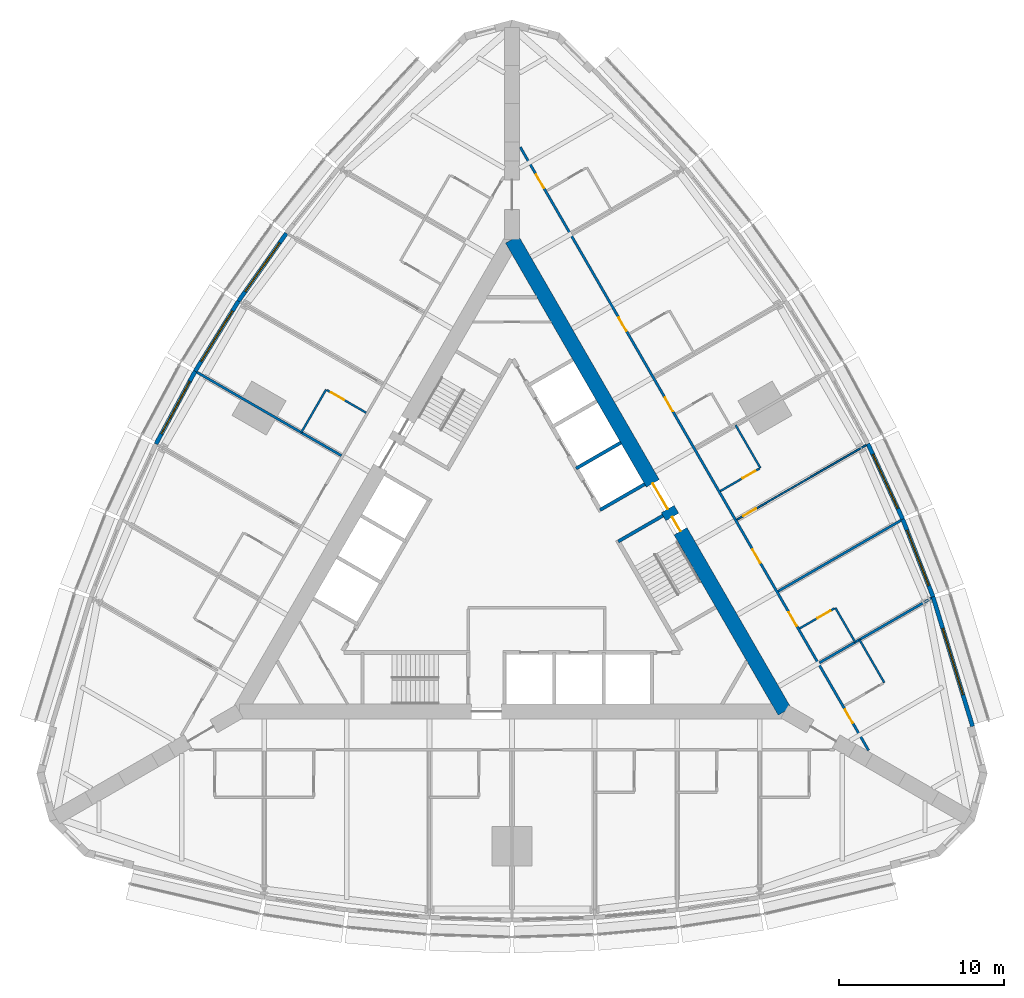
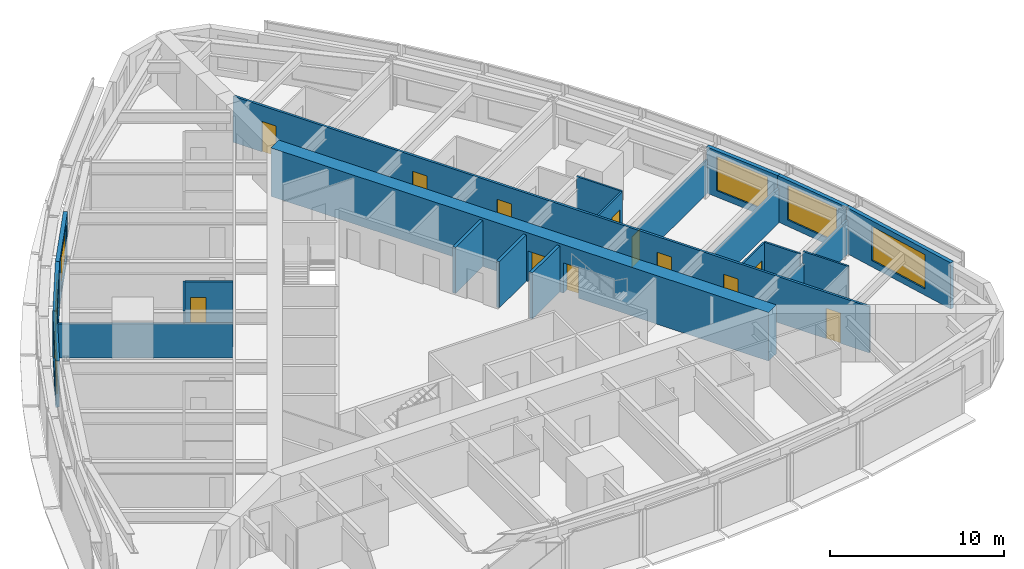
# One storey, part 11 of 14: 22 walls, 12 doors, 6 windows, 18 openings.
"""IFC4 building model written with IfcOpenShell, lengths in metres."""

from ifc_helpers import new_model, si_unit, direction, frame, frame_2d, origin, place, context, subcontext, project, spatial, rectangle, extrude, material, layer, layer_set, type_object, element, fill, save


model = new_model("IFC4")

# Units and contexts
model_context = context("Model", 3, precision=1e-05, world=origin(), true_north=direction((0.0, 1.0)))
body_context = subcontext(model_context, "Body", "Model", "MODEL_VIEW")
ifc_project = project(units=[si_unit("LENGTHUNIT", "METRE"), si_unit("AREAUNIT", "SQUARE_METRE"), si_unit("VOLUMEUNIT", "CUBIC_METRE"), si_unit("PLANEANGLEUNIT", "RADIAN"), si_unit("MASSUNIT", "GRAM", prefix="KILO")], contexts=[model_context])

# Site, building, storey
site_placement = place(None, origin())
site = spatial("IfcSite", under=ifc_project, at=site_placement, CompositionType="ELEMENT")
building_placement = place(site_placement, origin())
building = spatial("IfcBuilding", under=site, at=building_placement, Name="Trikona Tower", CompositionType="ELEMENT")
storey_placement = place(building_placement, frame((0.0, 0.0, 82.89990234375)))
storey = spatial("IfcBuildingStorey", under=building, at=storey_placement, Name="L21", CompositionType="ELEMENT", Elevation=82.89990234375)

# Walls
ifc_material_1 = material(Name="Metal stud and cement board", Category="gypsum")
ifc_layer_1 = layer(ifc_material_1, 0.1201171875)
ifc_layer_set_1 = layer_set([ifc_layer_1], Name="Bathroom wall 120")
wall_type_1 = type_object("IfcWallType", Name="Bathroom wall 120", PredefinedType="PLUMBINGWALL", material=ifc_layer_set_1)
wall_1_placement = place(storey_placement, frame((22.53271484375, -7.775390625, 0.0), z_axis=(0.0, 0.0, 1.0), x_axis=(-0.499990139034, 0.866031096941, 0.0)))
element("IfcWall", 1, at=wall_1_placement, inside=storey, type_object=wall_type_1, Name="Bathroom wall 2107", PredefinedType="PLUMBINGWALL", context=body_context, shape_type="SweptSolid", body=[
    extrude(rectangle(XDim=3.0, YDim=0.1201171875, at=frame_2d((1.5, 0.0))), origin(), (0.0, 0.0, 1.0), 3.235107421875),
])
wall_2_placement = place(storey_placement, frame((20.77294921875, -5.3271484375, 0.0), z_axis=(0.0, 0.0, 1.0), x_axis=(-0.500001309137, 0.866024647952, 0.0)))
element("IfcWall", 2, at=wall_2_placement, inside=storey, type_object=wall_type_1, Name="Bathroom wall 2108", PredefinedType="PLUMBINGWALL", context=body_context, shape_type="SweptSolid", body=[
    extrude(rectangle(XDim=2.39990234375, YDim=0.1201171875, at=frame_2d((1.199951171875, 0.0))), origin(), (0.0, 0.0, 1.0), 3.235107421875),
])

# Wall, opening, door
wall_3_placement = place(storey_placement, frame((17.407958984375, -4.498779296875, 0.0), z_axis=(0.0, 0.0, 1.0), x_axis=(0.866023955769, 0.500002508028, 0.0)))
wall_3 = element("IfcWall", 3, at=wall_3_placement, inside=storey, type_object=wall_type_1, Name="Bathroom wall 2108", PredefinedType="PLUMBINGWALL", context=body_context, shape_type="SweptSolid", body=[
    extrude(rectangle(XDim=2.43994140625, YDim=0.1201171875, at=frame_2d((1.219970703125, 0.0))), origin(), (0.0, 0.0, 1.0), 3.235107421875),
])
opening_1_placement = place(wall_3_placement, frame((1.25, 0.0, 0.0)))
opening_1 = element("IfcOpeningElement", 4, at=opening_1_placement, cuts=wall_3, Name="Opening D2", PredefinedType="OPENING", context=body_context, shape_type="SweptSolid", body=[
    extrude(rectangle(XDim=0.89990234375, YDim=2.1298828125, at=frame_2d((0.449951171875, 1.06494140625))), frame((0.0, 0.070068359375, 0.0), z_axis=(0.0, -1.0, 0.0), x_axis=(1.0, 0.0, 0.0)), (0.0, 0.0, 1.0), 0.14013671875),
])
ifc_material_2 = material(Name="Steel door frame with solid-core timber leaf", Category="steel")
door_type_1 = type_object("IfcDoorType", Name="Bathroom door 900x2130", OperationType="SLIDING_TO_LEFT", PredefinedType="DOOR", material=ifc_material_2)
door_1_placement = place(opening_1_placement, origin())
door_1 = element("IfcDoor", 5, at=door_1_placement, inside=storey, type_object=door_type_1, Name="Bathroom door 2108", OperationType="SLIDING_TO_LEFT", OverallHeight=2.1298828125, OverallWidth=0.89990234375, PredefinedType="DOOR", context=body_context, shape_type="SweptSolid", body=[
    extrude(rectangle(XDim=0.89990234375, YDim=2.1298828125, at=frame_2d((0.449951171875, 1.06494140625))), frame((0.0, 0.02490234375, 0.0), z_axis=(0.0, -1.0, 0.0), x_axis=(1.0, 0.0, 0.0)), (0.0, 0.0, 1.0), 0.050048828125),
])
fill(opening_1, door_1)

# Wall
wall_4_placement = place(storey_placement, frame((15.03271484375, 5.215087890625, 0.0), z_axis=(0.0, 0.0, 1.0), x_axis=(-0.50002537861, 0.866010750942, 0.0)))
element("IfcWall", 6, at=wall_4_placement, inside=storey, type_object=wall_type_1, Name="Bathroom wall 2109.1", PredefinedType="PLUMBINGWALL", context=body_context, shape_type="SweptSolid", body=[
    extrude(rectangle(XDim=2.999755859375, YDim=0.1201171875, at=frame_2d((1.5, 0.0))), origin(), (0.0, 0.0, 1.0), 3.235107421875),
])

# Wall, opening, door
wall_5_placement = place(storey_placement, frame((12.60791015625, 3.815185546875, 0.0), z_axis=(0.0, 0.0, 1.0), x_axis=(0.866035715982, 0.499982138324, 0.0)))
wall_5 = element("IfcWall", 7, at=wall_5_placement, inside=storey, type_object=wall_type_1, Name="Bathroom wall 2109.1", PredefinedType="PLUMBINGWALL", context=body_context, shape_type="SweptSolid", body=[
    extrude(rectangle(XDim=2.73974609375, YDim=0.1201171875, at=frame_2d((1.369873046875, 0.0))), origin(), (0.0, 0.0, 1.0), 3.235107421875),
])
opening_2_placement = place(wall_5_placement, frame((1.550048828125, 0.0, 0.0)))
opening_2 = element("IfcOpeningElement", 8, at=opening_2_placement, cuts=wall_5, Name="Opening D2", PredefinedType="OPENING", context=body_context, shape_type="SweptSolid", body=[
    extrude(rectangle(XDim=0.89990234375, YDim=2.1298828125, at=frame_2d((0.449951171875, 1.06494140625))), frame((0.0, 0.070068359375, 0.0), z_axis=(0.0, -1.0, 0.0), x_axis=(1.0, 0.0, 0.0)), (0.0, 0.0, 1.0), 0.14013671875),
])
door_2_placement = place(opening_2_placement, origin())
door_2 = element("IfcDoor", 9, at=door_2_placement, inside=storey, type_object=door_type_1, Name="Bathroom door 2109.1", OperationType="SLIDING_TO_LEFT", OverallHeight=2.1298828125, OverallWidth=0.89990234375, PredefinedType="DOOR", context=body_context, shape_type="SweptSolid", body=[
    extrude(rectangle(XDim=0.89990234375, YDim=2.1298828125, at=frame_2d((0.449951171875, 1.06494140625))), frame((0.0, 0.02490234375, 0.0), z_axis=(0.0, -1.0, 0.0), x_axis=(1.0, 0.0, 0.0)), (0.0, 0.0, 1.0), 0.050048828125),
])
fill(opening_2, door_2)

# Wall
wall_6_placement = place(storey_placement, frame((-11.25341796875, 9.961181640625, 0.0), z_axis=(0.0, 0.0, 1.0), x_axis=(-0.499990139034, -0.866031096941, 0.0)))
element("IfcWall", 10, at=wall_6_placement, inside=storey, type_object=wall_type_1, Name="Bathroom wall 2114.2", PredefinedType="PLUMBINGWALL", context=body_context, shape_type="SweptSolid", body=[
    extrude(rectangle(XDim=3.0, YDim=0.1201171875, at=frame_2d((1.5, 0.0))), origin(), (0.0, 0.0, 1.0), 3.235107421875),
])

# Wall, opening, door
wall_7_placement = place(storey_placement, frame((-8.82861328125, 8.561279296875, 0.0), z_axis=(0.0, 0.0, 1.0), x_axis=(-0.866035715982, 0.499982138324, 0.0)))
wall_7 = element("IfcWall", 11, at=wall_7_placement, inside=storey, type_object=wall_type_1, Name="Bathroom wall 2114.2", PredefinedType="PLUMBINGWALL", context=body_context, shape_type="SweptSolid", body=[
    extrude(rectangle(XDim=2.73974609375, YDim=0.1201171875, at=frame_2d((1.369873046875, 0.0))), origin(), (0.0, 0.0, 1.0), 3.235107421875),
])
opening_3_placement = place(wall_7_placement, frame((1.550048828125, 0.0, 0.0)))
opening_3 = element("IfcOpeningElement", 12, at=opening_3_placement, cuts=wall_7, Name="Opening D2", PredefinedType="OPENING", context=body_context, shape_type="SweptSolid", body=[
    extrude(rectangle(XDim=0.89990234375, YDim=2.1298828125, at=frame_2d((0.449951171875, 1.06494140625))), frame((0.0, 0.070068359375, 0.0), z_axis=(0.0, -1.0, 0.0), x_axis=(1.0, 0.0, 0.0)), (0.0, 0.0, 1.0), 0.14013671875),
])
door_3_placement = place(opening_3_placement, origin())
door_3 = element("IfcDoor", 13, at=door_3_placement, inside=storey, type_object=door_type_1, Name="Bathroom door 2114.2", OperationType="SLIDING_TO_LEFT", OverallHeight=2.1298828125, OverallWidth=0.89990234375, PredefinedType="DOOR", context=body_context, shape_type="SweptSolid", body=[
    extrude(rectangle(XDim=0.89990234375, YDim=2.1298828125, at=frame_2d((0.449951171875, 1.06494140625))), frame((0.0, 0.02490234375, 0.0), z_axis=(0.0, -1.0, 0.0), x_axis=(1.0, 0.0, 0.0)), (0.0, 0.0, 1.0), 0.050048828125),
])
fill(opening_3, door_3)

# Wall, openings, doors
ifc_material_3 = material(Name="Concrete f'c 10000 psi", Category="concrete")
ifc_layer_2 = layer(ifc_material_3, 0.89990234375)
ifc_layer_set_2 = layer_set([ifc_layer_2], Name="Core wall 900")
wall_type_2 = type_object("IfcWallType", Name="Core wall 900", PredefinedType="SHEAR", material=ifc_layer_set_2)
wall_8_placement = place(storey_placement, frame((16.5, -9.5263671875, 0.0), z_axis=(0.0, 0.0, 1.0), x_axis=(-0.499999749417, 0.866025548458, 0.0)))
wall_8 = element("IfcWall", 14, at=wall_8_placement, inside=storey, type_object=wall_type_2, Name="Core wall B", PredefinedType="SHEAR", context=body_context, shape_type="SweptSolid", body=[
    extrude(rectangle(XDim=33.0, YDim=0.89990234375, at=frame_2d((16.5, 0.0))), origin(), (0.0, 0.0, 1.0), 3.400146484375),
])
opening_4_placement = place(wall_8_placement, frame((14.14990234375, 0.0, 0.0)))
opening_4 = element("IfcOpeningElement", 15, at=opening_4_placement, cuts=wall_8, Name="Opening D6", PredefinedType="OPENING", context=body_context, shape_type="SweptSolid", body=[
    extrude(rectangle(XDim=1.800048828125, YDim=2.1298828125, at=frame_2d((0.89990234375, 1.06494140625))), frame((0.0, 0.4599609375, 0.0), z_axis=(0.0, -1.0, 0.0), x_axis=(1.0, 0.0, 0.0)), (0.0, 0.0, 1.0), 0.919921875),
])
opening_5_placement = place(wall_8_placement, frame((12.60009765625, 0.0, 0.0)))
opening_5 = element("IfcOpeningElement", 16, at=opening_5_placement, cuts=wall_8, Name="Opening D5", PredefinedType="OPENING", context=body_context, shape_type="SweptSolid", body=[
    extrude(rectangle(XDim=1.0, YDim=2.1298828125, at=frame_2d((0.5, 1.06494140625))), frame((0.0, 0.4599609375, 0.0), z_axis=(0.0, -1.0, 0.0), x_axis=(1.0, 0.0, 0.0)), (0.0, 0.0, 1.0), 0.919921875),
])
ifc_material_4 = material(Name="Hollow metal door and frame", Category="steel")
door_type_2 = type_object("IfcDoorType", Name="Lobby door pair 1800x2130", OperationType="DOUBLE_DOOR_SINGLE_SWING", PredefinedType="DOOR", material=ifc_material_4)
door_4_placement = place(opening_4_placement, origin())
door_4 = element("IfcDoor", 17, at=door_4_placement, inside=storey, type_object=door_type_2, Name="Lift lobby door B", OperationType="DOUBLE_DOOR_SINGLE_SWING", OverallHeight=2.1298828125, OverallWidth=1.800048828125, PredefinedType="DOOR", context=body_context, shape_type="SweptSolid", body=[
    extrude(rectangle(XDim=1.800048828125, YDim=2.1298828125, at=frame_2d((0.89990234375, 1.06494140625))), frame((0.0, 0.02490234375, 0.0), z_axis=(0.0, -1.0, 0.0), x_axis=(1.0, 0.0, 0.0)), (0.0, 0.0, 1.0), 0.050048828125),
])
fill(opening_4, door_4)
ifc_material_5 = material(Name="Hollow metal door and frame", Category="steel")
door_type_3 = type_object("IfcDoorType", Name="Stair door 1000x2130", OperationType="SINGLE_SWING_LEFT", PredefinedType="DOOR", material=ifc_material_5)
door_5_placement = place(opening_5_placement, origin())
door_5 = element("IfcDoor", 18, at=door_5_placement, inside=storey, type_object=door_type_3, Name="Stair B door", OperationType="SINGLE_SWING_RIGHT", OverallHeight=2.1298828125, OverallWidth=1.0, PredefinedType="DOOR", context=body_context, shape_type="SweptSolid", body=[
    extrude(rectangle(XDim=1.0, YDim=2.1298828125, at=frame_2d((0.5, 1.06494140625))), frame((0.0, 0.02490234375, 0.0), z_axis=(0.0, -1.0, 0.0), x_axis=(1.0, 0.0, 0.0)), (0.0, 0.0, 1.0), 0.050048828125),
])
fill(opening_5, door_5)

ifc_material_6 = material(Name="Metal stud and gypsum board, 1-hour", Category="gypsum")
ifc_layer_3 = layer(ifc_material_6, 0.14990234375)
ifc_layer_set_3 = layer_set([ifc_layer_3], Name="Corridor wall 150")
wall_type_3 = type_object("IfcWallType", Name="Corridor wall 150", PredefinedType="PARTITIONING", material=ifc_layer_set_3)
wall_9_placement = place(storey_placement, frame((21.5859375, -11.88525390625, 0.0), z_axis=(0.0, 0.0, 1.0), x_axis=(-0.500001915564, 0.86602429783, 0.0)))
wall_9 = element("IfcWall", 19, at=wall_9_placement, inside=storey, type_object=wall_type_3, Name="Corridor wall L21-2", PredefinedType="PARTITIONING", context=body_context, shape_type="SweptSolid", body=[
    extrude(rectangle(XDim=42.171630859375, YDim=0.14990234375, at=frame_2d((21.0859375, 0.0))), origin(), (0.0, 0.0, 1.0), 3.235107421875),
])
opening_6_placement = place(wall_9_placement, frame((1.910888671875, 0.0, 0.0)))
opening_6 = element("IfcOpeningElement", 20, at=opening_6_placement, cuts=wall_9, Name="Opening D1", PredefinedType="OPENING", context=body_context, shape_type="SweptSolid", body=[
    extrude(rectangle(XDim=0.949951171875, YDim=2.1298828125, at=frame_2d((0.47509765625, 1.06494140625))), frame((0.0, 0.0849609375, 0.0), z_axis=(0.0, -1.0, 0.0), x_axis=(1.0, 0.0, 0.0)), (0.0, 0.0, 1.0), 0.169921875),
])
opening_7_placement = place(wall_9_placement, frame((8.7109375, 0.0, 0.0)))
opening_7 = element("IfcOpeningElement", 21, at=opening_7_placement, cuts=wall_9, Name="Opening D1", PredefinedType="OPENING", context=body_context, shape_type="SweptSolid", body=[
    extrude(rectangle(XDim=0.949951171875, YDim=2.1298828125, at=frame_2d((0.47509765625, 1.06494140625))), frame((0.0, 0.0849609375, 0.0), z_axis=(0.0, -1.0, 0.0), x_axis=(1.0, 0.0, 0.0)), (0.0, 0.0, 1.0), 0.169921875),
])
opening_8_placement = place(wall_9_placement, frame((13.11083984375, 0.0, 0.0)))
opening_8 = element("IfcOpeningElement", 22, at=opening_8_placement, cuts=wall_9, Name="Opening D1", PredefinedType="OPENING", context=body_context, shape_type="SweptSolid", body=[
    extrude(rectangle(XDim=0.949951171875, YDim=2.1298828125, at=frame_2d((0.47509765625, 1.06494140625))), frame((0.0, 0.0849609375, 0.0), z_axis=(0.0, -1.0, 0.0), x_axis=(1.0, 0.0, 0.0)), (0.0, 0.0, 1.0), 0.169921875),
])
opening_9_placement = place(wall_9_placement, frame((23.7109375, 0.0, 0.0)))
opening_9 = element("IfcOpeningElement", 23, at=opening_9_placement, cuts=wall_9, Name="Opening D1", PredefinedType="OPENING", context=body_context, shape_type="SweptSolid", body=[
    extrude(rectangle(XDim=0.949951171875, YDim=2.1298828125, at=frame_2d((0.47509765625, 1.06494140625))), frame((0.0, 0.0849609375, 0.0), z_axis=(0.0, -1.0, 0.0), x_axis=(1.0, 0.0, 0.0)), (0.0, 0.0, 1.0), 0.169921875),
])
opening_10_placement = place(wall_9_placement, frame((29.310791015625, 0.0, 0.0)))
opening_10 = element("IfcOpeningElement", 24, at=opening_10_placement, cuts=wall_9, Name="Opening D1", PredefinedType="OPENING", context=body_context, shape_type="SweptSolid", body=[
    extrude(rectangle(XDim=0.949951171875, YDim=2.1298828125, at=frame_2d((0.47509765625, 1.06494140625))), frame((0.0, 0.0849609375, 0.0), z_axis=(0.0, -1.0, 0.0), x_axis=(1.0, 0.0, 0.0)), (0.0, 0.0, 1.0), 0.169921875),
])
opening_11_placement = place(wall_9_placement, frame((39.310791015625, 0.0, 0.0)))
opening_11 = element("IfcOpeningElement", 25, at=opening_11_placement, cuts=wall_9, Name="Opening D1", PredefinedType="OPENING", context=body_context, shape_type="SweptSolid", body=[
    extrude(rectangle(XDim=0.949951171875, YDim=2.1298828125, at=frame_2d((0.47509765625, 1.06494140625))), frame((0.0, 0.0849609375, 0.0), z_axis=(0.0, -1.0, 0.0), x_axis=(1.0, 0.0, 0.0)), (0.0, 0.0, 1.0), 0.169921875),
])
ifc_material_7 = material(Name="Steel door frame with solid-core timber leaf", Category="steel")
door_type_4 = type_object("IfcDoorType", Name="Guest room door 950x2130", OperationType="SINGLE_SWING_LEFT", PredefinedType="DOOR", material=ifc_material_7)
door_6_placement = place(opening_6_placement, origin())
door_6 = element("IfcDoor", 26, at=door_6_placement, inside=storey, type_object=door_type_4, Name="Room door 2107", OperationType="SINGLE_SWING_LEFT", OverallHeight=2.1298828125, OverallWidth=0.949951171875, PredefinedType="DOOR", context=body_context, shape_type="SweptSolid", body=[
    extrude(rectangle(XDim=0.949951171875, YDim=2.1298828125, at=frame_2d((0.47509765625, 1.06494140625))), frame((0.0, 0.02490234375, 0.0), z_axis=(0.0, -1.0, 0.0), x_axis=(1.0, 0.0, 0.0)), (0.0, 0.0, 1.0), 0.050048828125),
])
fill(opening_6, door_6)
door_7_placement = place(opening_7_placement, origin())
door_7 = element("IfcDoor", 27, at=door_7_placement, inside=storey, type_object=door_type_4, Name="Room door 2108", OperationType="SINGLE_SWING_RIGHT", OverallHeight=2.1298828125, OverallWidth=0.949951171875, PredefinedType="DOOR", context=body_context, shape_type="SweptSolid", body=[
    extrude(rectangle(XDim=0.949951171875, YDim=2.1298828125, at=frame_2d((0.47509765625, 1.06494140625))), frame((0.0, 0.02490234375, 0.0), z_axis=(0.0, -1.0, 0.0), x_axis=(1.0, 0.0, 0.0)), (0.0, 0.0, 1.0), 0.050048828125),
])
fill(opening_7, door_7)
door_8_placement = place(opening_8_placement, origin())
door_8 = element("IfcDoor", 28, at=door_8_placement, inside=storey, type_object=door_type_4, Name="Room door 2109", OperationType="SINGLE_SWING_LEFT", OverallHeight=2.1298828125, OverallWidth=0.949951171875, PredefinedType="DOOR", context=body_context, shape_type="SweptSolid", body=[
    extrude(rectangle(XDim=0.949951171875, YDim=2.1298828125, at=frame_2d((0.47509765625, 1.06494140625))), frame((0.0, 0.02490234375, 0.0), z_axis=(0.0, -1.0, 0.0), x_axis=(1.0, 0.0, 0.0)), (0.0, 0.0, 1.0), 0.050048828125),
])
fill(opening_8, door_8)
door_9_placement = place(opening_9_placement, origin())
door_9 = element("IfcDoor", 29, at=door_9_placement, inside=storey, type_object=door_type_4, Name="Room door 2110", OperationType="SINGLE_SWING_RIGHT", OverallHeight=2.1298828125, OverallWidth=0.949951171875, PredefinedType="DOOR", context=body_context, shape_type="SweptSolid", body=[
    extrude(rectangle(XDim=0.949951171875, YDim=2.1298828125, at=frame_2d((0.47509765625, 1.06494140625))), frame((0.0, 0.02490234375, 0.0), z_axis=(0.0, -1.0, 0.0), x_axis=(1.0, 0.0, 0.0)), (0.0, 0.0, 1.0), 0.050048828125),
])
fill(opening_9, door_9)
door_10_placement = place(opening_10_placement, origin())
door_10 = element("IfcDoor", 30, at=door_10_placement, inside=storey, type_object=door_type_4, Name="Room door 2111", OperationType="SINGLE_SWING_LEFT", OverallHeight=2.1298828125, OverallWidth=0.949951171875, PredefinedType="DOOR", context=body_context, shape_type="SweptSolid", body=[
    extrude(rectangle(XDim=0.949951171875, YDim=2.1298828125, at=frame_2d((0.47509765625, 1.06494140625))), frame((0.0, 0.02490234375, 0.0), z_axis=(0.0, -1.0, 0.0), x_axis=(1.0, 0.0, 0.0)), (0.0, 0.0, 1.0), 0.050048828125),
])
fill(opening_10, door_10)
door_11_placement = place(opening_11_placement, origin())
door_11 = element("IfcDoor", 31, at=door_11_placement, inside=storey, type_object=door_type_4, Name="Room door 2112", OperationType="SINGLE_SWING_RIGHT", OverallHeight=2.1298828125, OverallWidth=0.949951171875, PredefinedType="DOOR", context=body_context, shape_type="SweptSolid", body=[
    extrude(rectangle(XDim=0.949951171875, YDim=2.1298828125, at=frame_2d((0.47509765625, 1.06494140625))), frame((0.0, 0.02490234375, 0.0), z_axis=(0.0, -1.0, 0.0), x_axis=(1.0, 0.0, 0.0)), (0.0, 0.0, 1.0), 0.050048828125),
])
fill(opening_11, door_11)

# Wall, opening, window
ifc_material_8 = material(Name="Insulated precast concrete spandrel panel", Category="concrete")
ifc_layer_4 = layer(ifc_material_8, 0.25)
ifc_layer_set_4 = layer_set([ifc_layer_4], Name="Inner skin wall 250")
wall_type_4 = type_object("IfcWallType", Name="Inner skin wall 250", PredefinedType="STANDARD", material=ifc_layer_set_4)
wall_10_placement = place(storey_placement, frame((27.88037109375, -10.4287109375, 0.0), z_axis=(0.0, 0.0, 1.0), x_axis=(-0.2919790669, 0.956424709265, 0.0)))
wall_10 = element("IfcWall", 32, at=wall_10_placement, inside=storey, type_object=wall_type_4, Name="External wall L21-12", PredefinedType="STANDARD", context=body_context, shape_type="SweptSolid", body=[
    extrude(rectangle(XDim=8.211181640625, YDim=0.25, at=frame_2d((4.10546875, 0.0))), origin(), (0.0, 0.0, 1.0), 3.235107421875),
])
opening_12_placement = place(wall_10_placement, frame((2.005615234375, 0.0, 0.449951171875)))
opening_12 = element("IfcOpeningElement", 33, at=opening_12_placement, cuts=wall_10, Name="Opening W4224", PredefinedType="OPENING", context=body_context, shape_type="SweptSolid", body=[
    extrude(rectangle(XDim=4.199951171875, YDim=2.39990234375, at=frame_2d((2.10009765625, 1.199951171875))), frame((0.0, 0.135009765625, 0.0), z_axis=(0.0, -1.0, 0.0), x_axis=(1.0, 0.0, 0.0)), (0.0, 0.0, 1.0), 0.27001953125),
])
ifc_material_9 = material(Name="Aluminium-framed double glazing", Category="aluminium")
window_type_1 = type_object("IfcWindowType", Name="Window 4200x2400", PartitioningType="SINGLE_PANEL", PredefinedType="WINDOW", material=ifc_material_9)
window_1_placement = place(opening_12_placement, origin())
window_1 = element("IfcWindow", 34, at=window_1_placement, inside=storey, type_object=window_type_1, Name="Window 2107", OverallHeight=2.39990234375, OverallWidth=4.199951171875, PartitioningType="SINGLE_PANEL", PredefinedType="WINDOW", context=body_context, shape_type="SweptSolid", body=[
    extrude(rectangle(XDim=4.199951171875, YDim=2.39990234375, at=frame_2d((2.10009765625, 1.199951171875))), frame((0.0, 0.030029296875, 0.0), z_axis=(0.0, -1.0, 0.0), x_axis=(1.0, 0.0, 0.0)), (0.0, 0.0, 1.0), 0.06005859375),
])
fill(opening_12, window_1)

wall_11_placement = place(storey_placement, frame((25.486083984375, -2.58447265625, 0.0), z_axis=(0.0, 0.0, 1.0), x_axis=(-0.364013463868, 0.931393685894, 0.0)))
wall_11 = element("IfcWall", 35, at=wall_11_placement, inside=storey, type_object=wall_type_4, Name="External wall L21-13", PredefinedType="STANDARD", context=body_context, shape_type="SweptSolid", body=[
    extrude(rectangle(XDim=5.0576171875, YDim=0.25, at=frame_2d((2.52880859375, 0.0))), origin(), (0.0, 0.0, 1.0), 3.235107421875),
])
opening_13_placement = place(wall_11_placement, frame((0.728759765625, 0.0, 0.449951171875)))
opening_13 = element("IfcOpeningElement", 36, at=opening_13_placement, cuts=wall_11, Name="Opening W3624", PredefinedType="OPENING", context=body_context, shape_type="SweptSolid", body=[
    extrude(rectangle(XDim=3.60009765625, YDim=2.39990234375, at=frame_2d((1.800048828125, 1.199951171875))), frame((0.0, 0.135009765625, 0.0), z_axis=(0.0, -1.0, 0.0), x_axis=(1.0, 0.0, 0.0)), (0.0, 0.0, 1.0), 0.27001953125),
])
ifc_material_10 = material(Name="Aluminium-framed double glazing", Category="aluminium")
window_type_2 = type_object("IfcWindowType", Name="Window 3600x2400", PartitioningType="SINGLE_PANEL", PredefinedType="WINDOW", material=ifc_material_10)
window_2_placement = place(opening_13_placement, origin())
window_2 = element("IfcWindow", 37, at=window_2_placement, inside=storey, type_object=window_type_2, Name="Window 2108", OverallHeight=2.39990234375, OverallWidth=3.60009765625, PartitioningType="SINGLE_PANEL", PredefinedType="WINDOW", context=body_context, shape_type="SweptSolid", body=[
    extrude(rectangle(XDim=3.60009765625, YDim=2.39990234375, at=frame_2d((1.800048828125, 1.199951171875))), frame((0.0, 0.030029296875, 0.0), z_axis=(0.0, -1.0, 0.0), x_axis=(1.0, 0.0, 0.0)), (0.0, 0.0, 1.0), 0.06005859375),
])
fill(opening_13, window_2)

wall_12_placement = place(storey_placement, frame((23.64794921875, 2.119384765625, 0.0), z_axis=(0.0, 0.0, 1.0), x_axis=(-0.419203100754, 0.907892482796, 0.0)))
wall_12 = element("IfcWall", 38, at=wall_12_placement, inside=storey, type_object=wall_type_4, Name="External wall L21-14", PredefinedType="STANDARD", context=body_context, shape_type="SweptSolid", body=[
    extrude(rectangle(XDim=5.020751953125, YDim=0.25, at=frame_2d((2.51025390625, 0.0))), origin(), (0.0, 0.0, 1.0), 3.235107421875),
])
opening_14_placement = place(wall_12_placement, frame((0.71044921875, 0.0, 0.449951171875)))
opening_14 = element("IfcOpeningElement", 39, at=opening_14_placement, cuts=wall_12, Name="Opening W3624", PredefinedType="OPENING", context=body_context, shape_type="SweptSolid", body=[
    extrude(rectangle(XDim=3.60009765625, YDim=2.39990234375, at=frame_2d((1.800048828125, 1.199951171875))), frame((0.0, 0.135009765625, 0.0), z_axis=(0.0, -1.0, 0.0), x_axis=(1.0, 0.0, 0.0)), (0.0, 0.0, 1.0), 0.27001953125),
])
window_3_placement = place(opening_14_placement, origin())
window_3 = element("IfcWindow", 40, at=window_3_placement, inside=storey, type_object=window_type_2, Name="Window 2109", OverallHeight=2.39990234375, OverallWidth=3.60009765625, PartitioningType="SINGLE_PANEL", PredefinedType="WINDOW", context=body_context, shape_type="SweptSolid", body=[
    extrude(rectangle(XDim=3.60009765625, YDim=2.39990234375, at=frame_2d((1.800048828125, 1.199951171875))), frame((0.0, 0.030029296875, 0.0), z_axis=(0.0, -1.0, 0.0), x_axis=(1.0, 0.0, 0.0)), (0.0, 0.0, 1.0), 0.06005859375),
])
fill(opening_14, window_3)

wall_13_placement = place(storey_placement, frame((-13.659423828125, 19.420166015625, 0.0), z_axis=(0.0, 0.0, 1.0), x_axis=(-0.5766431066, -0.81699616132, 0.0)))
wall_13 = element("IfcWall", 41, at=wall_13_placement, inside=storey, type_object=wall_type_4, Name="External wall L21-26", PredefinedType="STANDARD", context=body_context, shape_type="SweptSolid", body=[
    extrude(rectangle(XDim=5.02099609375, YDim=0.25, at=frame_2d((2.510498046875, 0.0))), origin(), (0.0, 0.0, 1.0), 3.235107421875),
])
opening_15_placement = place(wall_13_placement, frame((0.71044921875, 0.0, 0.449951171875)))
opening_15 = element("IfcOpeningElement", 42, at=opening_15_placement, cuts=wall_13, Name="Opening W3624", PredefinedType="OPENING", context=body_context, shape_type="SweptSolid", body=[
    extrude(rectangle(XDim=3.60009765625, YDim=2.39990234375, at=frame_2d((1.800048828125, 1.199951171875))), frame((0.0, 0.135009765625, 0.0), z_axis=(0.0, -1.0, 0.0), x_axis=(1.0, 0.0, 0.0)), (0.0, 0.0, 1.0), 0.27001953125),
])
window_4_placement = place(opening_15_placement, origin())
window_4 = element("IfcWindow", 43, at=window_4_placement, inside=storey, type_object=window_type_2, Name="Window 2114", OverallHeight=2.39990234375, OverallWidth=3.60009765625, PartitioningType="SINGLE_PANEL", PredefinedType="WINDOW", context=body_context, shape_type="SweptSolid", body=[
    extrude(rectangle(XDim=3.60009765625, YDim=2.39990234375, at=frame_2d((1.800048828125, 1.199951171875))), frame((0.0, 0.030029296875, 0.0), z_axis=(0.0, -1.0, 0.0), x_axis=(1.0, 0.0, 0.0)), (0.0, 0.0, 1.0), 0.06005859375),
])
fill(opening_15, window_4)

wall_14_placement = place(storey_placement, frame((-16.550537109375, 15.324462890625, 0.0), z_axis=(0.0, 0.0, 1.0), x_axis=(-0.526132807704, -0.850402415717, 0.0)))
wall_14 = element("IfcWall", 44, at=wall_14_placement, inside=storey, type_object=wall_type_4, Name="External wall L21-27", PredefinedType="STANDARD", context=body_context, shape_type="SweptSolid", body=[
    extrude(rectangle(XDim=5.002197265625, YDim=0.25, at=frame_2d((2.5009765625, 0.0))), origin(), (0.0, 0.0, 1.0), 3.235107421875),
])
opening_16_placement = place(wall_14_placement, frame((0.701171875, 0.0, 0.449951171875)))
opening_16 = element("IfcOpeningElement", 45, at=opening_16_placement, cuts=wall_14, Name="Opening W3624", PredefinedType="OPENING", context=body_context, shape_type="SweptSolid", body=[
    extrude(rectangle(XDim=3.60009765625, YDim=2.39990234375, at=frame_2d((1.800048828125, 1.199951171875))), frame((0.0, 0.135009765625, 0.0), z_axis=(0.0, -1.0, 0.0), x_axis=(1.0, 0.0, 0.0)), (0.0, 0.0, 1.0), 0.27001953125),
])
window_5_placement = place(opening_16_placement, origin())
window_5 = element("IfcWindow", 46, at=window_5_placement, inside=storey, type_object=window_type_2, Name="Window 2114.2", OverallHeight=2.39990234375, OverallWidth=3.60009765625, PartitioningType="SINGLE_PANEL", PredefinedType="WINDOW", context=body_context, shape_type="SweptSolid", body=[
    extrude(rectangle(XDim=3.60009765625, YDim=2.39990234375, at=frame_2d((1.800048828125, 1.199951171875))), frame((0.0, 0.030029296875, 0.0), z_axis=(0.0, -1.0, 0.0), x_axis=(1.0, 0.0, 0.0)), (0.0, 0.0, 1.0), 0.06005859375),
])
fill(opening_16, window_5)

wall_15_placement = place(storey_placement, frame((-19.178466796875, 11.0771484375, 0.0), z_axis=(0.0, 0.0, 1.0), x_axis=(-0.473412820489, -0.880840678782, 0.0)))
wall_15 = element("IfcWall", 47, at=wall_15_placement, inside=storey, type_object=wall_type_4, Name="External wall L21-28", PredefinedType="STANDARD", context=body_context, shape_type="SweptSolid", body=[
    extrude(rectangle(XDim=5.00244140625, YDim=0.25, at=frame_2d((2.501220703125, 0.0))), origin(), (0.0, 0.0, 1.0), 3.235107421875),
])
opening_17_placement = place(wall_15_placement, frame((0.701171875, 0.0, 0.449951171875)))
opening_17 = element("IfcOpeningElement", 48, at=opening_17_placement, cuts=wall_15, Name="Opening W3624", PredefinedType="OPENING", context=body_context, shape_type="SweptSolid", body=[
    extrude(rectangle(XDim=3.60009765625, YDim=2.39990234375, at=frame_2d((1.800048828125, 1.199951171875))), frame((0.0, 0.135009765625, 0.0), z_axis=(0.0, -1.0, 0.0), x_axis=(1.0, 0.0, 0.0)), (0.0, 0.0, 1.0), 0.27001953125),
])
window_6_placement = place(opening_17_placement, origin())
window_6 = element("IfcWindow", 49, at=window_6_placement, inside=storey, type_object=window_type_2, Name="Window 2115", OverallHeight=2.39990234375, OverallWidth=3.60009765625, PartitioningType="SINGLE_PANEL", PredefinedType="WINDOW", context=body_context, shape_type="SweptSolid", body=[
    extrude(rectangle(XDim=3.60009765625, YDim=2.39990234375, at=frame_2d((1.800048828125, 1.199951171875))), frame((0.0, 0.030029296875, 0.0), z_axis=(0.0, -1.0, 0.0), x_axis=(1.0, 0.0, 0.0)), (0.0, 0.0, 1.0), 0.06005859375),
])
fill(opening_17, window_6)

# Walls
ifc_material_11 = material(Name="Metal stud and gypsum board, 1-hour acoustic", Category="gypsum")
ifc_layer_5 = layer(ifc_material_11, 0.14990234375)
ifc_layer_set_5 = layer_set([ifc_layer_5], Name="Party wall 150")
wall_type_5 = type_object("IfcWallType", Name="Party wall 150", PredefinedType="PARTITIONING", material=ifc_layer_set_5)
wall_16_placement = place(storey_placement, frame((18.60791015625, -6.5771484375, 0.0), z_axis=(0.0, 0.0, 1.0), x_axis=(0.866034818847, 0.499983692279, 0.0)))
element("IfcWall", 50, at=wall_16_placement, inside=storey, type_object=wall_type_5, Name="Partition L21 F2 u-15", PredefinedType="PARTITIONING", context=body_context, shape_type="SweptSolid", body=[
    extrude(rectangle(XDim=7.820068359375, YDim=0.14990234375, at=frame_2d((3.91015625, 0.0))), origin(), (0.0, 0.0, 1.0), 2.389404296875),
])
wall_17_placement = place(storey_placement, frame((16.10791015625, -2.2470703125, 0.0), z_axis=(0.0, 0.0, 1.0), x_axis=(0.866018881988, 0.500011295912, 0.0)))
element("IfcWall", 51, at=wall_17_placement, inside=storey, type_object=wall_type_5, Name="Partition L21 F2 u-10", PredefinedType="PARTITIONING", context=body_context, shape_type="SweptSolid", body=[
    extrude(rectangle(XDim=8.584716796875, YDim=0.14990234375, at=frame_2d((4.29248046875, 0.0))), origin(), (0.0, 0.0, 1.0), 2.389404296875),
])
wall_18_placement = place(storey_placement, frame((-10.32861328125, 5.963134765625, 0.0), z_axis=(0.0, 0.0, 1.0), x_axis=(-0.866021688545, 0.500006434927, 0.0)))
element("IfcWall", 52, at=wall_18_placement, inside=storey, type_object=wall_type_5, Name="Partition L21 F3 u-5.10703e-15", PredefinedType="PARTITIONING", context=body_context, shape_type="SweptSolid", body=[
    extrude(rectangle(XDim=10.095947265625, YDim=0.14990234375, at=frame_2d((5.0478515625, 0.0))), origin(), (0.0, 0.0, 1.0), 2.389404296875),
])
ifc_material_12 = material(Name="Concrete f'c 8000 psi", Category="concrete")
ifc_layer_6 = layer(ifc_material_12, 0.199951171875)
ifc_layer_set_6 = layer_set([ifc_layer_6], Name="Shaft wall 200")
wall_type_6 = type_object("IfcWallType", Name="Shaft wall 200", PredefinedType="SOLIDWALL", material=ifc_layer_set_6)
for number, where, z_axis, x_axis, name in (
    (53, (5.3291015625, 2.672607421875, 0.0), (0.0, 0.0, 1.0), (0.866022959057, 0.500004234368, 0.0), "Shaft wall B3"),
    (54, (3.87890625, 5.18408203125, 0.0), (0.0, 0.0, 1.0), (0.866022959057, 0.500004234368, 0.0), "Shaft wall B4"),
):
    element("IfcWall", number, at=place(storey_placement, frame(where, z_axis=z_axis, x_axis=x_axis)), inside=storey, type_object=wall_type_6, Name=name, PredefinedType="SOLIDWALL", context=body_context, shape_type="SweptSolid", body=[
        extrude(rectangle(XDim=3.125, YDim=0.199951171875, at=frame_2d((1.5625, 0.0))), origin(), (0.0, 0.0, 1.0), 3.235107421875),
    ])
ifc_material_13 = material(Name="Concrete f'c 8000 psi", Category="concrete")
ifc_layer_7 = layer(ifc_material_13, 0.199951171875)
ifc_layer_set_7 = layer_set([ifc_layer_7], Name="Shaft wall 200 load-bearing")
wall_type_7 = type_object("IfcWallType", Name="Shaft wall 200 load-bearing", PredefinedType="SOLIDWALL", material=ifc_layer_set_7)
wall_19_placement = place(storey_placement, frame((6.428955078125, 0.767333984375, 0.0), z_axis=(0.0, 0.0, 1.0), x_axis=(0.866022959057, 0.500004234368, 0.0)))
element("IfcWall", 55, at=wall_19_placement, inside=storey, type_object=wall_type_7, Name="Shaft wall B2", PredefinedType="SOLIDWALL", context=body_context, shape_type="SweptSolid", body=[
    extrude(rectangle(XDim=3.125, YDim=0.199951171875, at=frame_2d((1.5625, 0.0))), origin(), (0.0, 0.0, 1.0), 3.235107421875),
])

# Wall, opening, door
ifc_material_14 = material(Name="Metal stud and gypsum board, acoustic", Category="gypsum")
ifc_layer_8 = layer(ifc_material_14, 0.10009765625)
ifc_layer_set_8 = layer_set([ifc_layer_8], Name="Suite partition 100")
wall_type_8 = type_object("IfcWallType", Name="Suite partition 100", PredefinedType="PARTITIONING", material=ifc_layer_set_8)
wall_20_placement = place(storey_placement, frame((13.60791015625, 2.0830078125, 0.0), z_axis=(0.0, 0.0, 1.0), x_axis=(0.866028232062, 0.499995101247, 0.0)))
wall_20 = element("IfcWall", 56, at=wall_20_placement, inside=storey, type_object=wall_type_8, Name="Suite partition L21 F2 u-5", PredefinedType="PARTITIONING", context=body_context, shape_type="SweptSolid", body=[
    extrude(rectangle(XDim=9.04296875, YDim=0.10009765625, at=frame_2d((4.521484375, 0.0))), origin(), (0.0, 0.0, 1.0), 2.389404296875),
])
opening_18_placement = place(wall_20_placement, frame((0.449951171875, 0.0, 0.0)))
opening_18 = element("IfcOpeningElement", 57, at=opening_18_placement, cuts=wall_20, Name="Opening D13", PredefinedType="OPENING", context=body_context, shape_type="SweptSolid", body=[
    extrude(rectangle(XDim=0.89990234375, YDim=2.1298828125, at=frame_2d((0.449951171875, 1.06494140625))), frame((0.0, 0.06005859375, 0.0), z_axis=(0.0, -1.0, 0.0), x_axis=(1.0, 0.0, 0.0)), (0.0, 0.0, 1.0), 0.1201171875),
])
ifc_material_15 = material(Name="Steel door frame with solid-core timber leaf", Category="steel")
door_type_5 = type_object("IfcDoorType", Name="Suite door 900x2130", OperationType="SINGLE_SWING_LEFT", PredefinedType="DOOR", material=ifc_material_15)
door_12_placement = place(opening_18_placement, origin())
door_12 = element("IfcDoor", 58, at=door_12_placement, inside=storey, type_object=door_type_5, Name="Suite door 2109", OperationType="SINGLE_SWING_LEFT", OverallHeight=2.1298828125, OverallWidth=0.89990234375, PredefinedType="DOOR", context=body_context, shape_type="SweptSolid", body=[
    extrude(rectangle(XDim=0.89990234375, YDim=2.1298828125, at=frame_2d((0.449951171875, 1.06494140625))), frame((0.0, 0.02490234375, 0.0), z_axis=(0.0, -1.0, 0.0), x_axis=(1.0, 0.0, 0.0)), (0.0, 0.0, 1.0), 0.050048828125),
])
fill(opening_18, door_12)

save(model, "model.ifc")
